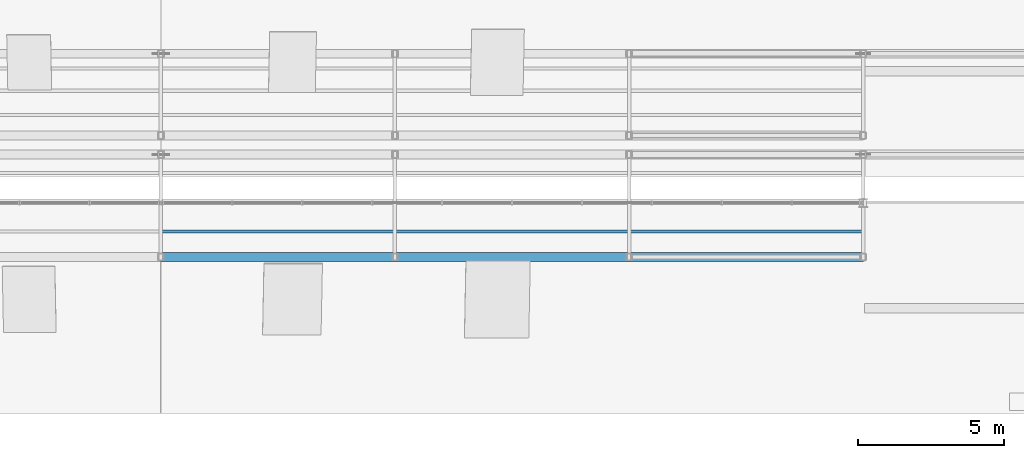
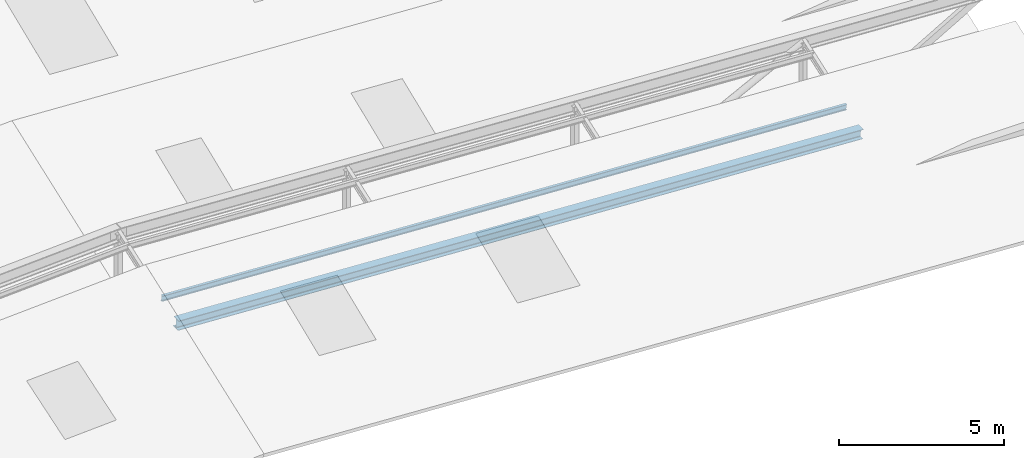
# One storey, part 49 of 141: 2 members.
"""IFC4 building model written with IfcOpenShell, lengths in metres."""

from ifc_helpers import new_model, si_unit, direction, frame, origin, origin_2d, place, context, subcontext, project, spatial, i_section, extrude, material, material_profile, profile_set, type_object, element, save


model = new_model("IFC4")

# Units and contexts
model_context = context("Model", 3, precision=1e-05, world=origin(), true_north=direction((0.0, 1.0)))
body_context = subcontext(model_context, "Body", "Model", "MODEL_VIEW")
ifc_project = project(units=[si_unit("LENGTHUNIT", "METRE"), si_unit("AREAUNIT", "SQUARE_METRE"), si_unit("VOLUMEUNIT", "CUBIC_METRE"), si_unit("PLANEANGLEUNIT", "RADIAN"), si_unit("MASSUNIT", "GRAM", prefix="KILO")], contexts=[model_context])

# Site, building, storey
site_placement = place(None, origin())
site = spatial("IfcSite", under=ifc_project, at=site_placement, CompositionType="ELEMENT")
building_placement = place(site_placement, origin())
building = spatial("IfcBuilding", under=site, at=building_placement, Name="Sundkrona Museum", CompositionType="ELEMENT")
storey_placement = place(building_placement, frame((0.0, 0.0, 34.0)))
storey = spatial("IfcBuildingStorey", under=building, at=storey_placement, Name="RF", CompositionType="ELEMENT", Elevation=34.0)

# Members
ifc_material = material(Name="Steel S355J2", Category="steel")
ifc_material_profile_1 = material_profile(ifc_material, i_section(OverallWidth=0.10009765625, OverallDepth=0.199951171875, WebThickness=0.005615234375, FlangeThickness=0.008544921875, FilletRadius=0.011962890625, at=origin_2d()), Name="IPE 200")
ifc_profile_set_1 = profile_set([ifc_material_profile_1], Name="Steel S355J2")
member_type_1 = type_object("IfcMemberType", Name="PR-IPE200", PredefinedType="PURLIN", material=ifc_profile_set_1)
member_1_placement = place(storey_placement, frame((144.0, 1.22509765625, 4.296142578125), z_axis=(0.998539934522, 0.0, -0.054018507607), x_axis=(0.0, 1.0, 0.0)))
element("IfcMember", 1, at=member_1_placement, inside=storey, type_object=member_type_1, Name="RFS-1 Sawtooth Blade 1E Roof Purlin 1", PredefinedType="PURLIN", context=body_context, shape_type="SweptSolid", body=[
    extrude(i_section(OverallWidth=0.10009765625, OverallDepth=0.199951171875, WebThickness=0.005615234375, FlangeThickness=0.008544921875, FilletRadius=0.011962890625, at=origin_2d()), origin(), (0.0, 0.0, 1.0), 24.03515625),
])
ifc_material_profile_2 = material_profile(ifc_material, i_section(OverallWidth=0.300048828125, OverallDepth=0.35009765625, WebThickness=0.010009765625, FlangeThickness=0.017578125, FilletRadius=0.027099609375, at=origin_2d()), Name="HEA 360")
ifc_profile_set_2 = profile_set([ifc_material_profile_2], Name="Steel S355J2")
member_type_2 = type_object("IfcMemberType", Name="TC-HEA360", PredefinedType="CHORD", material=ifc_profile_set_2)
member_2_placement = place(storey_placement, frame((144.0, 0.35009765625, 3.88916015625), z_axis=(0.998539934522, 0.0, -0.054018507607), x_axis=(0.0, 1.0, 0.0)))
element("IfcMember", 2, at=member_2_placement, inside=storey, type_object=member_type_2, Name="RFS-1 Sawtooth Valley Truss 1 East Top Chord", PredefinedType="CHORD", context=body_context, shape_type="SweptSolid", body=[
    extrude(i_section(OverallWidth=0.300048828125, OverallDepth=0.35009765625, WebThickness=0.010009765625, FlangeThickness=0.017578125, FilletRadius=0.027099609375, at=origin_2d()), origin(), (0.0, 0.0, 1.0), 24.03515625),
])

save(model, "model.ifc")
